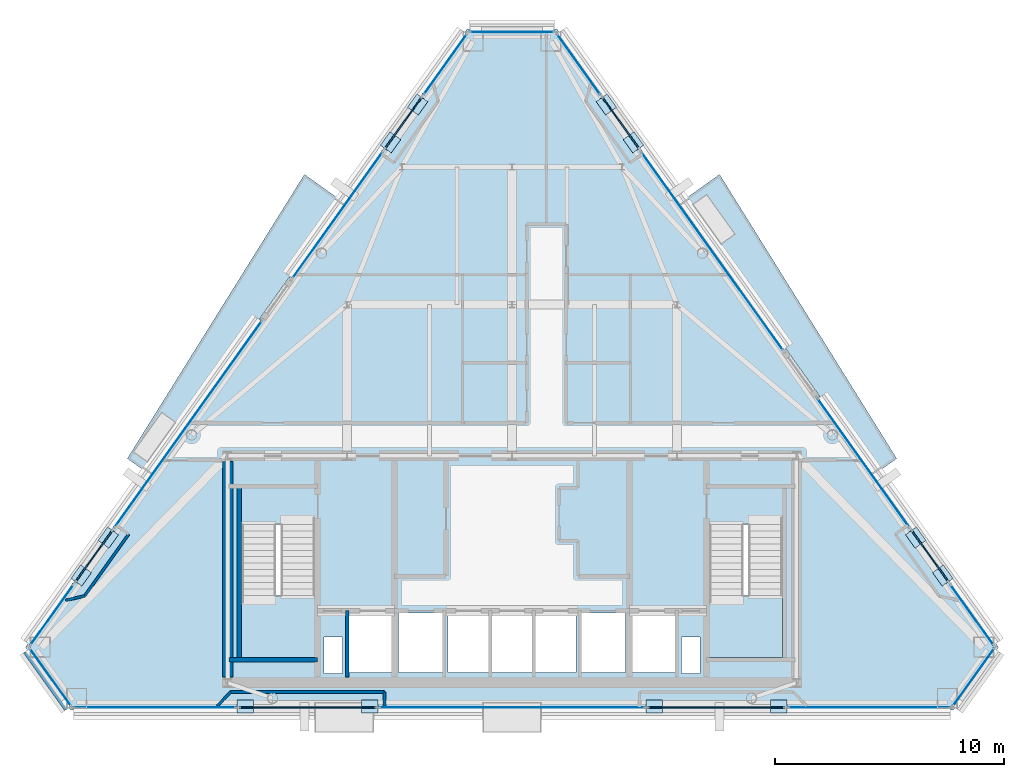
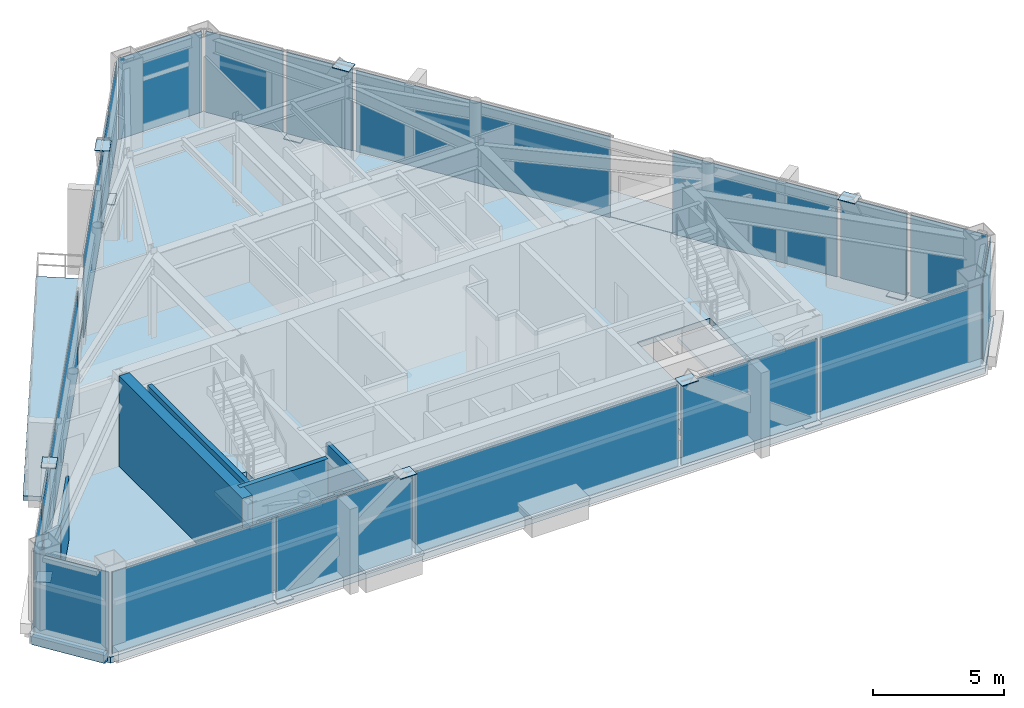
# One storey, part 7 of 12: 32 plates, 10 walls, 5 slabs, 22 elements without a shape of their own.
"""IFC4 building model written with IfcOpenShell, lengths in metres."""

from ifc_helpers import new_model, si_unit, direction, frame, frame_2d, origin, origin_2d, place, context, subcontext, project, spatial, polyline, rectangle, outline, extrude, source, transform, mapped, material, layer, layer_set, type_object, type_shapes, element, aggregate, save


model = new_model("IFC4")

# Units and contexts
model_context = context("Model", 3, precision=1e-05, world=origin(), true_north=direction((0.0, 1.0)))
body_context = subcontext(model_context, "Body", "Model", "MODEL_VIEW")
ifc_project = project(units=[si_unit("LENGTHUNIT", "METRE"), si_unit("AREAUNIT", "SQUARE_METRE"), si_unit("VOLUMEUNIT", "CUBIC_METRE"), si_unit("PLANEANGLEUNIT", "RADIAN"), si_unit("MASSUNIT", "GRAM", prefix="KILO")], contexts=[model_context])

# Site, building, storey
site_placement = place(None, origin())
site = spatial("IfcSite", under=ifc_project, at=site_placement, CompositionType="ELEMENT")
building_placement = place(site_placement, origin())
building = spatial("IfcBuilding", under=site, at=building_placement, Name="Talgorran Terracotta Tower", CompositionType="ELEMENT")
storey_placement = place(building_placement, frame((0.0, 0.0, 285.0)))
storey = spatial("IfcBuildingStorey", under=building, at=storey_placement, Name="L75", CompositionType="ELEMENT", Elevation=285.0)

# Plates
ifc_material_1 = material(Name="Steel Grade 350 (350L0)", Category="steel")
ifc_layer_1 = layer(ifc_material_1, 0.031982421875, Name="PL_CAP_MN07")
ifc_layer_set_1 = layer_set([ifc_layer_1], Name="Steel Grade 350 (350L0)")
plate_type_1 = type_object("IfcPlateType", Name="PL_CAP_MN07", PredefinedType="USERDEFINED", material=ifc_layer_set_1)
for number, where, z_axis, x_axis, name in (
    (1, (-11.6298828125, -15.134521484375, -0.005859375), (0.0, 0.0, 1.0), (1.0, 0.0, 0.0), "L75 Diagonal Frame End Cap SWF Bot"),
    (2, (-6.1982421875, -15.134521484375, 3.89404296875), (0.0, 0.0, 1.0), (1.0, 0.0, 0.0), "L75 Diagonal Frame End Cap SWF Top"),
    (3, (11.6298828125, -15.134521484375, -0.005859375), (0.0, 0.0, 1.0), (-1.0, 0.0, 0.0), "L75 Diagonal Frame End Cap SEF Bot"),
    (4, (6.1982421875, -15.134521484375, 3.89404296875), (0.0, 0.0, 1.0), (-1.0, 0.0, 0.0), "L75 Diagonal Frame End Cap SEF Top"),
    (5, (18.788330078125, -9.4169921875, -0.005859375), (0.0, 0.0, 1.0), (-0.581271174002, 0.813709912852, 0.0), "L75 Diagonal Frame End Cap NEL Bot"),
    (6, (17.6083984375, -7.764892578125, 3.89404296875), (0.0, 0.0, 1.0), (-0.581271174002, 0.813709912852, 0.0), "L75 Diagonal Frame End Cap NEL Top"),
    (7, (4.115966796875, 11.123779296875, -0.005859375), (0.0, 0.0, 1.0), (0.581271174002, -0.813709912852, 0.0), "L75 Diagonal Frame End Cap NEU Bot"),
    (8, (5.296142578125, 9.471435546875, 3.89404296875), (0.0, 0.0, 1.0), (0.581271174002, -0.813709912852, 0.0), "L75 Diagonal Frame End Cap NEU Top"),
    (9, (-4.115966796875, 11.123779296875, -0.005859375), (0.0, 0.0, 1.0), (-0.581271174002, -0.813709912852, 0.0), "L75 Diagonal Frame End Cap NWU Bot"),
    (10, (-5.296142578125, 9.471435546875, 3.89404296875), (0.0, 0.0, 1.0), (-0.581271174002, -0.813709912852, 0.0), "L75 Diagonal Frame End Cap NWU Top"),
    (11, (-18.788330078125, -9.4169921875, -0.005859375), (0.0, 0.0, 1.0), (0.581271174002, 0.813709912852, 0.0), "L75 Diagonal Frame End Cap NWL Bot"),
    (12, (-17.6083984375, -7.764892578125, 3.89404296875), (0.0, 0.0, 1.0), (0.581271174002, 0.813709912852, 0.0), "L75 Diagonal Frame End Cap NWL Top"),
):
    element("IfcPlate", number, at=place(storey_placement, frame(where, z_axis=z_axis, x_axis=x_axis)), inside=storey, type_object=plate_type_1, Name=name, ObjectType="CAP PLATE", PredefinedType="USERDEFINED", context=body_context, shape_type="SweptSolid", body=[
        extrude(rectangle(XDim=0.719970703125, YDim=0.580078125, at=origin_2d()), origin(), (0.0, 0.0, 1.0), 0.031982421875),
    ])

# Slabs
ifc_material_2 = material(Name="Concrete C40/50", Category="concrete")
ifc_layer_2 = layer(ifc_material_2, 0.219970703125, Name="SL_BALCONY_220")
ifc_layer_set_2 = layer_set([ifc_layer_2], Name="Concrete C40/50")
slab_type_1 = type_object("IfcSlabType", Name="SL_BALCONY_220", PredefinedType="FLOOR", material=ifc_layer_set_2)
slab_1_placement = place(storey_placement, frame((0.0, 0.0, -0.219970703125)))
element("IfcSlab", 13, at=slab_1_placement, inside=storey, type_object=slab_type_1, Name="L75 Outdoor Wave Balcony BAL-NE", PredefinedType="FLOOR", context=body_context, shape_type="SweptSolid", body=[
    extrude(outline(polyline([(7.368408203125, 6.87158203125), (15.83935546875, -4.9873046875), (16.777099609375, -4.317626953125), (9.05078125, 8.073486328125), (7.368408203125, 6.87158203125)])), origin(), (0.0, 0.0, 1.0), 0.219970703125),
])
slab_2_placement = place(storey_placement, frame((0.0, 0.0, -0.219970703125)))
element("IfcSlab", 14, at=slab_2_placement, inside=storey, type_object=slab_type_1, Name="L75 Outdoor Wave Balcony BAL-NW", PredefinedType="FLOOR", context=body_context, shape_type="SweptSolid", body=[
    extrude(outline(polyline([(-15.83935546875, -4.9873046875), (-7.368408203125, 6.87158203125), (-9.05078125, 8.073486328125), (-16.777099609375, -4.317626953125), (-15.83935546875, -4.9873046875)])), origin(), (0.0, 0.0, 1.0), 0.219970703125),
])
ifc_layer_3 = layer(ifc_material_2, 0.280029296875, Name="SL_HALL_280")
ifc_layer_set_3 = layer_set([ifc_layer_3], Name="Concrete C40/50")
slab_type_2 = type_object("IfcSlabType", Name="SL_HALL_280", PredefinedType="FLOOR", material=ifc_layer_set_3)
slab_3_placement = place(storey_placement, frame((0.0, 0.0, -0.280029296875)))
element("IfcSlab", 15, at=slab_3_placement, inside=storey, type_object=slab_type_2, Name="Storey L75 Structural Floor Slab", PredefinedType="FLOOR", context=body_context, shape_type="SweptSolid", body=[
    extrude(outline(polyline([(-21.2177734375, -12.542724609375), (-19.252197265625, -15.29443359375), (19.252197265625, -15.29443359375), (21.2177734375, -12.542724609375), (1.965576171875, 14.409423828125), (-1.965576171875, 14.409423828125), (-21.2177734375, -12.542724609375)]), holes=[polyline([(-11.800048828125, -7.199951171875), (-11.800048828125, -13.0), (-8.60009765625, -13.0), (-8.60009765625, -7.199951171875), (-11.800048828125, -7.199951171875)]), polyline([(8.60009765625, -7.199951171875), (8.60009765625, -13.0), (11.800048828125, -13.0), (11.800048828125, -7.199951171875), (8.60009765625, -7.199951171875)]), polyline([(-7.10009765625, -13.64990234375), (-5.199951171875, -13.64990234375), (-5.199951171875, -11.050048828125), (-7.10009765625, -11.050048828125), (-7.10009765625, -13.64990234375)]), polyline([(5.199951171875, -13.64990234375), (7.10009765625, -13.64990234375), (7.10009765625, -11.050048828125), (5.199951171875, -11.050048828125), (5.199951171875, -13.64990234375)]), polyline([(3.0, -13.64990234375), (4.949951171875, -13.64990234375), (4.949951171875, -11.050048828125), (3.0, -11.050048828125), (3.0, -13.64990234375)]), polyline([(-4.949951171875, -13.64990234375), (-3.0, -13.64990234375), (-3.0, -11.050048828125), (-4.949951171875, -11.050048828125), (-4.949951171875, -13.64990234375)]), polyline([(-2.800048828125, -13.64990234375), (-1.0, -13.64990234375), (-1.0, -11.050048828125), (-2.800048828125, -11.050048828125), (-2.800048828125, -13.64990234375)]), polyline([(-0.89990234375, -13.64990234375), (0.89990234375, -13.64990234375), (0.89990234375, -11.050048828125), (-0.89990234375, -11.050048828125), (-0.89990234375, -13.64990234375)]), polyline([(1.0, -13.64990234375), (2.800048828125, -13.64990234375), (2.800048828125, -11.050048828125), (1.0, -11.050048828125), (1.0, -13.64990234375)]), polyline([(-8.199951171875, -13.699951171875), (-7.39990234375, -13.699951171875), (-7.39990234375, -12.10009765625), (-8.199951171875, -12.10009765625), (-8.199951171875, -13.699951171875)]), polyline([(7.39990234375, -13.699951171875), (8.199951171875, -13.699951171875), (8.199951171875, -12.10009765625), (7.39990234375, -12.10009765625), (7.39990234375, -13.699951171875)])]), origin(), (0.0, 0.0, 1.0), 0.280029296875),
])

# Stair, slab
stair_type = type_object("IfcStairType", Name="ST_FIRE_SCISSOR", PredefinedType="HALF_TURN_STAIR", material=ifc_material_2)
stair_1_placement = place(storey_placement, origin())
stair_1 = element("IfcStair", 16, at=stair_1_placement, inside=storey, type_object=stair_type, Name="L75 West Protected Fire Stair ST-01", PredefinedType="HALF_TURN_STAIR")
ifc_layer_4 = layer(ifc_material_2, 0.199951171875, Name="SL_LANDING_200")
ifc_layer_set_4 = layer_set([ifc_layer_4], Name="Concrete C40/50")
slab_type_3 = type_object("IfcSlabType", Name="SL_LANDING_200", PredefinedType="LANDING", material=ifc_layer_set_4)
slab_4_placement = place(storey_placement, frame((0.0, 0.0, 1.89990234375)))
slab_4 = element("IfcSlab", 17, at=slab_4_placement, type_object=slab_type_3, Name="ST-01 landing 1", PredefinedType="LANDING", context=body_context, shape_type="SweptSolid", body=[
    extrude(outline(polyline([(-11.800048828125, -10.280029296875), (-11.800048828125, -13.0), (-8.60009765625, -13.0), (-8.60009765625, -10.280029296875), (-11.800048828125, -10.280029296875)])), origin(), (0.0, 0.0, 1.0), 0.2001953125),
])
aggregate(stair_1, [slab_4])

stair_2_placement = place(storey_placement, origin())
stair_2 = element("IfcStair", 18, at=stair_2_placement, inside=storey, type_object=stair_type, Name="L75 East Protected Fire Stair ST-02", PredefinedType="HALF_TURN_STAIR")
slab_5_placement = place(storey_placement, frame((0.0, 0.0, 1.89990234375)))
slab_5 = element("IfcSlab", 19, at=slab_5_placement, type_object=slab_type_3, Name="ST-02 landing 1", PredefinedType="LANDING", context=body_context, shape_type="SweptSolid", body=[
    extrude(outline(polyline([(8.60009765625, -10.280029296875), (8.60009765625, -13.0), (11.800048828125, -13.0), (11.800048828125, -10.280029296875), (8.60009765625, -10.280029296875)])), origin(), (0.0, 0.0, 1.0), 0.2001953125),
])
aggregate(stair_2, [slab_5])

# Curtain wall, plate
ifc_material_3 = material(Name="High-Wind Unitised Glazing", Category="glass")
ifc_layer_5 = layer(ifc_material_3, 0.2099609375, Name="CW_SYS3_RES_HIGH")
ifc_layer_set_5 = layer_set([ifc_layer_5], Name="High-Wind Unitised Glazing")
curtain_wall_type = type_object("IfcCurtainWallType", Name="CW_SYS3_RES_HIGH", PredefinedType="NOTDEFINED", material=ifc_layer_set_5)
curtain_wall_1_placement = place(storey_placement, origin())
curtain_wall_1 = element("IfcCurtainWall", 20, at=curtain_wall_1_placement, inside=storey, type_object=curtain_wall_type, Name="CW-L75-F0", PredefinedType="NOTDEFINED")
ifc_material_4 = material(Name="High-Wind Acoustic Vision Glass", Category="glass")
ifc_layer_6 = layer(ifc_material_4, 0.031982421875, Name="PLT_VISION_32")
ifc_layer_set_6 = layer_set([ifc_layer_6], Name="High-Wind Acoustic Vision Glass")
plate_type_2 = type_object("IfcPlateType", Name="PLT_VISION_32", PredefinedType="CURTAIN_PANEL", material=ifc_layer_set_6)
shared_shape_1 = source(origin(), body_context, "Body", "SweptSolid", [
    extrude(rectangle(XDim=3.093994140625, YDim=0.031982421875, at=origin_2d()), origin(), (0.0, 0.0, 1.0), 3.780029296875),
])
plate_1_placement = place(storey_placement, frame((-20.13037109375, -13.858642578125, 0.06982421875), z_axis=(0.0, 0.0, 1.0), x_axis=(0.58125574343, -0.813720935413, 0.0)))
plate_1 = element("IfcPlate", 21, at=plate_1_placement, type_object=plate_type_2, Name="CW-L75-0 panel 1.1", PredefinedType="CURTAIN_PANEL", context=body_context, shape_type="MappedRepresentation", body=[
    mapped(shared_shape_1, transform((0.0, 0.0, 0.0), scale=1.0)),
])
aggregate(curtain_wall_1, [plate_1])

curtain_wall_2_placement = place(storey_placement, origin())
curtain_wall_2 = element("IfcCurtainWall", 22, at=curtain_wall_2_placement, inside=storey, type_object=curtain_wall_type, Name="CW-L75-F2", PredefinedType="NOTDEFINED")
plate_2_placement = place(storey_placement, frame((20.13037109375, -13.858642578125, 0.06982421875), z_axis=(0.0, 0.0, 1.0), x_axis=(0.58125574343, 0.813720935413, 0.0)))
plate_2 = element("IfcPlate", 23, at=plate_2_placement, type_object=plate_type_2, Name="CW-L75-2 panel 1.1", PredefinedType="CURTAIN_PANEL", context=body_context, shape_type="MappedRepresentation", body=[
    mapped(shared_shape_1, transform((0.0, 0.0, 0.0), scale=1.0)),
])
aggregate(curtain_wall_2, [plate_2])

curtain_wall_3_placement = place(storey_placement, origin())
curtain_wall_3 = element("IfcCurtainWall", 24, at=curtain_wall_3_placement, inside=storey, type_object=curtain_wall_type, Name="CW-L75-F1", PredefinedType="NOTDEFINED")
shared_shape_2 = source(origin(), body_context, "Body", "SweptSolid", [
    extrude(rectangle(XDim=7.071044921875, YDim=0.031982421875, at=origin_2d()), origin(), (0.0, 0.0, 1.0), 3.780029296875),
])
plate_3_placement = place(storey_placement, frame((-15.5849609375, -15.17431640625, 0.06982421875), z_axis=(0.0, 0.0, 1.0), x_axis=(1.0, 0.0, 0.0)))
plate_3 = element("IfcPlate", 25, at=plate_3_placement, type_object=plate_type_2, Name="CW-L75-1 panel 1.1", PredefinedType="CURTAIN_PANEL", context=body_context, shape_type="MappedRepresentation", body=[
    mapped(shared_shape_2, transform((0.0, 0.0, 0.0), scale=1.0)),
])
aggregate(curtain_wall_3, [plate_3])

curtain_wall_4_placement = place(storey_placement, origin())
curtain_wall_4 = element("IfcCurtainWall", 26, at=curtain_wall_4_placement, inside=storey, type_object=curtain_wall_type, Name="CW-L75-F1E", PredefinedType="NOTDEFINED")
plate_4_placement = place(storey_placement, frame((15.5849609375, -15.17431640625, 0.06982421875), z_axis=(0.0, 0.0, 1.0), x_axis=(1.0, 0.0, 0.0)))
plate_4 = element("IfcPlate", 27, at=plate_4_placement, type_object=plate_type_2, Name="CW-L75-1E panel 1.1", PredefinedType="CURTAIN_PANEL", context=body_context, shape_type="MappedRepresentation", body=[
    mapped(shared_shape_2, transform((0.0, 0.0, 0.0), scale=1.0)),
])
aggregate(curtain_wall_4, [plate_4])

curtain_wall_5_placement = place(storey_placement, origin())
curtain_wall_5 = element("IfcCurtainWall", 28, at=curtain_wall_5_placement, inside=storey, type_object=curtain_wall_type, Name="CW-L75-F1B", PredefinedType="NOTDEFINED")
ifc_material_5 = material(Name="Terracotta Insulated Spandrel", Category="masonry")
ifc_layer_7 = layer(ifc_material_5, 0.06494140625, Name="PLT_SPANDREL_TERRA")
ifc_layer_set_7 = layer_set([ifc_layer_7], Name="Terracotta Insulated Spandrel")
plate_type_3 = type_object("IfcPlateType", Name="PLT_SPANDREL_TERRA", PredefinedType="SHEET", material=ifc_layer_set_7)
shared_shape_3 = source(origin(), body_context, "Body", "SweptSolid", [
    extrude(rectangle(XDim=5.970947265625, YDim=0.06494140625, at=origin_2d()), origin(), (0.0, 0.0, 1.0), 3.780029296875),
])
plate_5_placement = place(storey_placement, frame((-8.9140625, -15.17431640625, 0.06982421875), z_axis=(0.0, 0.0, 1.0), x_axis=(1.0, 0.0, 0.0)))
plate_5 = element("IfcPlate", 29, at=plate_5_placement, type_object=plate_type_3, Name="CW-L75-1B panel 1.1", PredefinedType="CURTAIN_PANEL", context=body_context, shape_type="MappedRepresentation", body=[
    mapped(shared_shape_3, transform((0.0, 0.0, 0.0), scale=1.0)),
])
aggregate(curtain_wall_5, [plate_5])

curtain_wall_6_placement = place(storey_placement, origin())
curtain_wall_6 = element("IfcCurtainWall", 30, at=curtain_wall_6_placement, inside=storey, type_object=curtain_wall_type, Name="CW-L75-F1D", PredefinedType="NOTDEFINED")
plate_6_placement = place(storey_placement, frame((8.9140625, -15.17431640625, 0.06982421875), z_axis=(0.0, 0.0, 1.0), x_axis=(1.0, 0.0, 0.0)))
plate_6 = element("IfcPlate", 31, at=plate_6_placement, type_object=plate_type_3, Name="CW-L75-1D panel 1.1", PredefinedType="CURTAIN_PANEL", context=body_context, shape_type="MappedRepresentation", body=[
    mapped(shared_shape_3, transform((0.0, 0.0, 0.0), scale=1.0)),
])
aggregate(curtain_wall_6, [plate_6])

curtain_wall_7_placement = place(storey_placement, origin())
curtain_wall_7 = element("IfcCurtainWall", 32, at=curtain_wall_7_placement, inside=storey, type_object=curtain_wall_type, Name="CW-L75-F1C", PredefinedType="NOTDEFINED")
shared_shape_4 = source(origin(), body_context, "Body", "SweptSolid", [
    extrude(rectangle(XDim=11.55712890625, YDim=0.031982421875, at=origin_2d()), origin(), (0.0, 0.0, 1.0), 3.780029296875),
])
plate_7_placement = place(storey_placement, frame((0.0, -15.17431640625, 0.06982421875), z_axis=(0.0, 0.0, 1.0), x_axis=(1.0, 0.0, 0.0)))
plate_7 = element("IfcPlate", 33, at=plate_7_placement, type_object=plate_type_2, Name="CW-L75-1C panel 1.1", PredefinedType="CURTAIN_PANEL", context=body_context, shape_type="MappedRepresentation", body=[
    mapped(shared_shape_4, transform((0.0, 0.0, 0.0), scale=1.0)),
])
aggregate(curtain_wall_7, [plate_7])

curtain_wall_8_placement = place(storey_placement, origin())
curtain_wall_8 = element("IfcCurtainWall", 34, at=curtain_wall_8_placement, inside=storey, type_object=curtain_wall_type, Name="CW-L75-F40", PredefinedType="NOTDEFINED")
shared_shape_5 = source(origin(), body_context, "Body", "SweptSolid", [
    extrude(rectangle(XDim=3.240966796875, YDim=0.031982421875, at=origin_2d()), origin(), (0.0, 0.0, 1.0), 3.780029296875),
])
plate_8_placement = place(storey_placement, frame((20.064453125, -11.134765625, 0.06982421875), z_axis=(0.0, 0.0, 1.0), x_axis=(-0.581235395943, 0.813735469611, 0.0)))
plate_8 = element("IfcPlate", 35, at=plate_8_placement, type_object=plate_type_2, Name="CW-L75-40 panel 1.1", PredefinedType="CURTAIN_PANEL", context=body_context, shape_type="MappedRepresentation", body=[
    mapped(shared_shape_5, transform((0.0, 0.0, 0.0), scale=1.0)),
])
aggregate(curtain_wall_8, [plate_8])

curtain_wall_9_placement = place(storey_placement, origin())
curtain_wall_9 = element("IfcCurtainWall", 36, at=curtain_wall_9_placement, inside=storey, type_object=curtain_wall_type, Name="CW-L75-F40B", PredefinedType="NOTDEFINED")
shared_shape_6 = source(origin(), body_context, "Body", "SweptSolid", [
    extrude(rectangle(XDim=2.76806640625, YDim=0.06494140625, at=origin_2d()), origin(), (0.0, 0.0, 1.0), 3.780029296875),
])
type_shapes(plate_type_3, [shared_shape_3, shared_shape_6])
plate_9_placement = place(storey_placement, frame((18.230712890625, -8.56787109375, 0.06982421875), z_axis=(0.0, 0.0, 1.0), x_axis=(-0.581234940743, 0.813735794752, 0.0)))
plate_9 = element("IfcPlate", 37, at=plate_9_placement, type_object=plate_type_3, Name="CW-L75-40B panel 1.1", PredefinedType="CURTAIN_PANEL", context=body_context, shape_type="MappedRepresentation", body=[
    mapped(shared_shape_6, transform((0.0, 0.0, 0.0), scale=1.0)),
])
aggregate(curtain_wall_9, [plate_9])

curtain_wall_10_placement = place(storey_placement, origin())
curtain_wall_10 = element("IfcCurtainWall", 38, at=curtain_wall_10_placement, inside=storey, type_object=curtain_wall_type, Name="CW-L75-F41B", PredefinedType="NOTDEFINED")
plate_10_placement = place(storey_placement, frame((4.738525390625, 10.32080078125, 0.06982421875), z_axis=(0.0, 0.0, 1.0), x_axis=(-0.581234940743, 0.813735794752, 0.0)))
plate_10 = element("IfcPlate", 39, at=plate_10_placement, type_object=plate_type_3, Name="CW-L75-41B panel 1.1", PredefinedType="CURTAIN_PANEL", context=body_context, shape_type="MappedRepresentation", body=[
    mapped(shared_shape_6, transform((0.0, 0.0, 0.0), scale=1.0)),
])
aggregate(curtain_wall_10, [plate_10])

curtain_wall_11_placement = place(storey_placement, origin())
curtain_wall_11 = element("IfcCurtainWall", 40, at=curtain_wall_11_placement, inside=storey, type_object=curtain_wall_type, Name="CW-L75-F60B", PredefinedType="NOTDEFINED")
plate_11_placement = place(storey_placement, frame((-4.738525390625, 10.32080078125, 0.06982421875), z_axis=(0.0, 0.0, 1.0), x_axis=(-0.581234940743, -0.813735794752, 0.0)))
plate_11 = element("IfcPlate", 41, at=plate_11_placement, type_object=plate_type_3, Name="CW-L75-60B panel 1.1", PredefinedType="CURTAIN_PANEL", context=body_context, shape_type="MappedRepresentation", body=[
    mapped(shared_shape_6, transform((0.0, 0.0, 0.0), scale=1.0)),
])
aggregate(curtain_wall_11, [plate_11])

curtain_wall_12_placement = place(storey_placement, origin())
curtain_wall_12 = element("IfcCurtainWall", 42, at=curtain_wall_12_placement, inside=storey, type_object=curtain_wall_type, Name="CW-L75-F61B", PredefinedType="NOTDEFINED")
plate_12_placement = place(storey_placement, frame((-18.230712890625, -8.56787109375, 0.06982421875), z_axis=(0.0, 0.0, 1.0), x_axis=(-0.581234940743, -0.813735794752, 0.0)))
plate_12 = element("IfcPlate", 43, at=plate_12_placement, type_object=plate_type_3, Name="CW-L75-61B panel 1.1", PredefinedType="CURTAIN_PANEL", context=body_context, shape_type="MappedRepresentation", body=[
    mapped(shared_shape_6, transform((0.0, 0.0, 0.0), scale=1.0)),
])
aggregate(curtain_wall_12, [plate_12])

curtain_wall_13_placement = place(storey_placement, origin())
curtain_wall_13 = element("IfcCurtainWall", 44, at=curtain_wall_13_placement, inside=storey, type_object=curtain_wall_type, Name="CW-L75-F40C", PredefinedType="NOTDEFINED")
shared_shape_7 = source(origin(), body_context, "Body", "SweptSolid", [
    extrude(rectangle(XDim=6.897216796875, YDim=0.031982421875, at=origin_2d()), origin(), (0.0, 0.0, 1.0), 3.780029296875),
])
plate_13_placement = place(storey_placement, frame((15.334716796875, -4.51318359375, 0.06982421875), z_axis=(0.0, 0.0, 1.0), x_axis=(-0.581248947246, 0.813725790009, 0.0)))
plate_13 = element("IfcPlate", 45, at=plate_13_placement, type_object=plate_type_2, Name="CW-L75-40C panel 1.1", PredefinedType="CURTAIN_PANEL", context=body_context, shape_type="MappedRepresentation", body=[
    mapped(shared_shape_7, transform((0.0, 0.0, 0.0), scale=1.0)),
])
aggregate(curtain_wall_13, [plate_13])

curtain_wall_14_placement = place(storey_placement, origin())
curtain_wall_14 = element("IfcCurtainWall", 46, at=curtain_wall_14_placement, inside=storey, type_object=curtain_wall_type, Name="CW-L75-F41", PredefinedType="NOTDEFINED")
shared_shape_8 = source(origin(), body_context, "Body", "SweptSolid", [
    extrude(rectangle(XDim=10.647216796875, YDim=0.031982421875, at=origin_2d()), origin(), (0.0, 0.0, 1.0), 3.780029296875),
])
plate_14_placement = place(storey_placement, frame((8.724609375, 4.74072265625, 0.06982421875), z_axis=(0.0, 0.0, 1.0), x_axis=(-0.581248716559, 0.81372595479, 0.0)))
plate_14 = element("IfcPlate", 47, at=plate_14_placement, type_object=plate_type_2, Name="CW-L75-41 panel 1.1", PredefinedType="CURTAIN_PANEL", context=body_context, shape_type="MappedRepresentation", body=[
    mapped(shared_shape_8, transform((0.0, 0.0, 0.0), scale=1.0)),
])
aggregate(curtain_wall_14, [plate_14])

curtain_wall_15_placement = place(storey_placement, origin())
curtain_wall_15 = element("IfcCurtainWall", 48, at=curtain_wall_15_placement, inside=storey, type_object=curtain_wall_type, Name="CW-L75-F41C", PredefinedType="NOTDEFINED")
shared_shape_9 = source(origin(), body_context, "Body", "SweptSolid", [
    extrude(rectangle(XDim=3.233154296875, YDim=0.031982421875, at=origin_2d()), origin(), (0.0, 0.0, 1.0), 3.780029296875),
])
plate_15_placement = place(storey_placement, frame((2.907470703125, 12.884521484375, 0.06982421875), z_axis=(0.0, 0.0, 1.0), x_axis=(-0.581249410692, 0.813725458967, 0.0)))
plate_15 = element("IfcPlate", 49, at=plate_15_placement, type_object=plate_type_2, Name="CW-L75-41C panel 1.1", PredefinedType="CURTAIN_PANEL", context=body_context, shape_type="MappedRepresentation", body=[
    mapped(shared_shape_9, transform((0.0, 0.0, 0.0), scale=1.0)),
])
aggregate(curtain_wall_15, [plate_15])

curtain_wall_16_placement = place(storey_placement, origin())
curtain_wall_16 = element("IfcCurtainWall", 50, at=curtain_wall_16_placement, inside=storey, type_object=curtain_wall_type, Name="CW-L75-F60", PredefinedType="NOTDEFINED")
plate_16_placement = place(storey_placement, frame((-2.907470703125, 12.884521484375, 0.06982421875), z_axis=(0.0, 0.0, 1.0), x_axis=(-0.581249410692, -0.813725458967, 0.0)))
plate_16 = element("IfcPlate", 51, at=plate_16_placement, type_object=plate_type_2, Name="CW-L75-60 panel 1.1", PredefinedType="CURTAIN_PANEL", context=body_context, shape_type="MappedRepresentation", body=[
    mapped(shared_shape_9, transform((0.0, 0.0, 0.0), scale=1.0)),
])
aggregate(curtain_wall_16, [plate_16])

curtain_wall_17_placement = place(storey_placement, origin())
curtain_wall_17 = element("IfcCurtainWall", 52, at=curtain_wall_17_placement, inside=storey, type_object=curtain_wall_type, Name="CW-L75-F4", PredefinedType="NOTDEFINED")
shared_shape_10 = source(origin(), body_context, "Body", "SweptSolid", [
    extrude(rectangle(XDim=3.66748046875, YDim=0.031982421875, at=origin_2d()), origin(), (0.0, 0.0, 1.0), 3.780029296875),
])
plate_17_placement = place(storey_placement, frame((0.0, 14.28955078125, 0.06982421875), z_axis=(0.0, 0.0, 1.0), x_axis=(-1.0, 0.0, 0.0)))
plate_17 = element("IfcPlate", 53, at=plate_17_placement, type_object=plate_type_2, Name="CW-L75-4 panel 1.1", PredefinedType="CURTAIN_PANEL", context=body_context, shape_type="MappedRepresentation", body=[
    mapped(shared_shape_10, transform((0.0, 0.0, 0.0), scale=1.0)),
])
aggregate(curtain_wall_17, [plate_17])

curtain_wall_18_placement = place(storey_placement, origin())
curtain_wall_18 = element("IfcCurtainWall", 54, at=curtain_wall_18_placement, inside=storey, type_object=curtain_wall_type, Name="CW-L75-F60C", PredefinedType="NOTDEFINED")
shared_shape_11 = source(origin(), body_context, "Body", "SweptSolid", [
    extrude(rectangle(XDim=6.789794921875, YDim=0.031982421875, at=origin_2d()), origin(), (0.0, 0.0, 1.0), 3.780029296875),
])
plate_18_placement = place(storey_placement, frame((-7.603515625, 6.31005859375, 0.06982421875), z_axis=(0.0, 0.0, 1.0), x_axis=(-0.581251843907, -0.813723720899, 0.0)))
plate_18 = element("IfcPlate", 55, at=plate_18_placement, type_object=plate_type_2, Name="CW-L75-60C panel 1.1", PredefinedType="CURTAIN_PANEL", context=body_context, shape_type="MappedRepresentation", body=[
    mapped(shared_shape_11, transform((0.0, 0.0, 0.0), scale=1.0)),
])
aggregate(curtain_wall_18, [plate_18])

curtain_wall_19_placement = place(storey_placement, origin())
curtain_wall_19 = element("IfcCurtainWall", 56, at=curtain_wall_19_placement, inside=storey, type_object=curtain_wall_type, Name="CW-L75-F61", PredefinedType="NOTDEFINED")
shared_shape_12 = source(origin(), body_context, "Body", "SweptSolid", [
    extrude(rectangle(XDim=11.054443359375, YDim=0.031982421875, at=origin_2d()), origin(), (0.0, 0.0, 1.0), 3.780029296875),
])
plate_19_placement = place(storey_placement, frame((-14.12646484375, -2.82177734375, 0.06982421875), z_axis=(0.0, 0.0, 1.0), x_axis=(-0.581251713844, -0.813723813805, 0.0)))
plate_19 = element("IfcPlate", 57, at=plate_19_placement, type_object=plate_type_2, Name="CW-L75-61 panel 1.1", PredefinedType="CURTAIN_PANEL", context=body_context, shape_type="MappedRepresentation", body=[
    mapped(shared_shape_12, transform((0.0, 0.0, 0.0), scale=1.0)),
])
aggregate(curtain_wall_19, [plate_19])

curtain_wall_20_placement = place(storey_placement, origin())
curtain_wall_20 = element("IfcCurtainWall", 58, at=curtain_wall_20_placement, inside=storey, type_object=curtain_wall_type, Name="CW-L75-F61C", PredefinedType="NOTDEFINED")
shared_shape_13 = source(origin(), body_context, "Body", "SweptSolid", [
    extrude(rectangle(XDim=3.2412109375, YDim=0.031982421875, at=origin_2d()), origin(), (0.0, 0.0, 1.0), 3.780029296875),
])
type_shapes(plate_type_2, [shared_shape_1, shared_shape_2, shared_shape_4, shared_shape_5, shared_shape_7, shared_shape_8, shared_shape_9, shared_shape_10, shared_shape_11, shared_shape_12, shared_shape_13])
plate_20_placement = place(storey_placement, frame((-20.064453125, -11.134765625, 0.06982421875), z_axis=(0.0, 0.0, 1.0), x_axis=(-0.58125497991, -0.813721480809, 0.0)))
plate_20 = element("IfcPlate", 59, at=plate_20_placement, type_object=plate_type_2, Name="CW-L75-61C panel 1.1", PredefinedType="CURTAIN_PANEL", context=body_context, shape_type="MappedRepresentation", body=[
    mapped(shared_shape_13, transform((0.0, 0.0, 0.0), scale=1.0)),
])
aggregate(curtain_wall_20, [plate_20])

# Walls
ifc_material_6 = material(Name="Concrete C50/60", Category="concrete")
ifc_layer_8 = layer(ifc_material_6, 0.199951171875, Name="WT_CORE_200")
ifc_layer_set_8 = layer_set([ifc_layer_8], Name="Concrete C50/60")
wall_type_1 = type_object("IfcWallType", Name="WT_CORE_200", PredefinedType="SOLIDWALL", material=ifc_layer_set_8)
wall_1_placement = place(storey_placement, frame((-12.35009765625, -13.10009765625, 0.0), z_axis=(0.0, 0.0, 1.0), x_axis=(1.0, 0.0, 0.0)))
element("IfcWall", 60, at=wall_1_placement, inside=storey, type_object=wall_type_1, Name="WL-L75-CW-ST1-S", PredefinedType="SOLIDWALL", context=body_context, shape_type="SweptSolid", body=[
    extrude(rectangle(XDim=3.8701171875, YDim=0.199951171875, at=frame_2d((1.93505859375, 0.0))), origin(), (0.0, 0.0, 1.0), 4.199951171875),
])
wall_2_placement = place(storey_placement, frame((-11.89990234375, -13.10009765625, 0.0), z_axis=(0.0, 0.0, 1.0), x_axis=(0.0, 1.0, 0.0)))
element("IfcWall", 61, at=wall_2_placement, inside=storey, type_object=wall_type_1, Name="WL-L75-CW-ST1-W", PredefinedType="SOLIDWALL", context=body_context, shape_type="SweptSolid", body=[
    extrude(rectangle(XDim=7.580078125, YDim=0.199951171875, at=frame_2d((3.7900390625, 0.0))), origin(), (0.0, 0.0, 1.0), 4.199951171875),
])
ifc_material_7 = material(Name="Concrete C65/80", Category="concrete")
ifc_layer_9 = layer(ifc_material_7, 0.449951171875, Name="WT_CORE_EXT")
ifc_layer_set_9 = layer_set([ifc_layer_9], Name="Concrete C65/80")
wall_type_2 = type_object("IfcWallType", Name="WT_CORE_EXT", PredefinedType="SHEAR", material=ifc_layer_set_9)
wall_3_placement = place(storey_placement, frame((-12.39990234375, -13.85009765625, 0.0), z_axis=(0.0, 0.0, 1.0), x_axis=(0.0, 1.0, 0.0)))
element("IfcWall", 62, at=wall_3_placement, inside=storey, type_object=wall_type_2, Name="WL-L75-CW-OUT-W", PredefinedType="SHEAR", context=body_context, shape_type="SweptSolid", body=[
    extrude(rectangle(XDim=9.400146484375, YDim=0.449951171875, at=frame_2d((4.7001953125, 0.0))), origin(), (0.0, 0.0, 1.0), 4.199951171875),
])
ifc_layer_10 = layer(ifc_material_2, 0.219970703125, Name="WT_PARAPET_RC")
ifc_layer_set_10 = layer_set([ifc_layer_10], Name="Concrete C40/50")
wall_type_3 = type_object("IfcWallType", Name="WT_PARAPET_RC", PredefinedType="PARAPET", material=ifc_layer_set_10)
wall_4_placement = place(storey_placement, frame((-21.154052734375, -12.700927734375, -0.199951171875), z_axis=(0.0, 0.0, 1.0), x_axis=(0.581260731052, -0.813717372641, 0.0)))
element("IfcWall", 63, at=wall_4_placement, inside=storey, type_object=wall_type_3, Name="L75 Striped Portal Precast Cornice F0", PredefinedType="PARAPET", context=body_context, shape_type="SweptSolid", body=[
    extrude(rectangle(XDim=3.07421875, YDim=0.360107421875, at=frame_2d((1.537109375, 0.0))), origin(), (0.0, 0.0, 1.0), 0.3798828125),
])
ifc_material_8 = material(Name="Insulated Steel Stud Plasterboard", Category="steel")
ifc_layer_11 = layer(ifc_material_8, 0.1201171875, Name="WT_PART_120")
ifc_layer_set_11 = layer_set([ifc_layer_11], Name="Insulated Steel Stud Plasterboard")
wall_type_4 = type_object("IfcWallType", Name="WT_PART_120", PredefinedType="PARTITIONING", material=ifc_layer_set_11)
wall_5_placement = place(storey_placement, frame((-12.269775390625, -14.494384765625, 0.0), z_axis=(0.0, 0.0, 1.0), x_axis=(1.0, 0.0, 0.0)))
element("IfcWall", 64, at=wall_5_placement, inside=storey, type_object=wall_type_4, Name="WL-L75-BW-L75-01", PredefinedType="PARTITIONING", context=body_context, shape_type="SweptSolid", body=[
    extrude(rectangle(XDim=6.71142578125, YDim=0.1201171875, at=frame_2d((3.355712890625, 0.0))), origin(), (0.0, 0.0, 1.0), 3.43798828125),
])
wall_6_placement = place(storey_placement, frame((-16.715576171875, -7.615966796875, 0.0), z_axis=(0.0, 0.0, 1.0), x_axis=(-0.581217264706, -0.813748420095, 0.0)))
element("IfcWall", 65, at=wall_6_placement, inside=storey, type_object=wall_type_4, Name="WL-L75-BW-L75-08", PredefinedType="PARTITIONING", context=body_context, shape_type="SweptSolid", body=[
    extrude(rectangle(XDim=3.310302734375, YDim=0.1201171875, at=frame_2d((1.6552734375, 0.0))), origin(), (0.0, 0.0, 1.0), 2.89501953125),
])
wall_7_placement = place(storey_placement, frame((-18.6396484375, -10.309814453125, 0.0), z_axis=(0.0, 0.0, 1.0), x_axis=(-0.974134409857, -0.22596935972, 0.0)))
element("IfcWall", 66, at=wall_7_placement, inside=storey, type_object=wall_type_4, Name="WL-L75-BW-L75-09", PredefinedType="PARTITIONING", context=body_context, shape_type="SweptSolid", body=[
    extrude(rectangle(XDim=0.851318359375, YDim=0.1201171875, at=frame_2d((0.42578125, 0.0))), origin(), (0.0, 0.0, 1.0), 2.89501953125),
])
wall_8_placement = place(storey_placement, frame((-12.851318359375, -15.112548828125, 0.0), z_axis=(0.0, 0.0, 1.0), x_axis=(0.685203170989, 0.728351985283, 0.0)))
element("IfcWall", 67, at=wall_8_placement, inside=storey, type_object=wall_type_4, Name="WL-L75-BW-L75-03", PredefinedType="PARTITIONING", context=body_context, shape_type="SweptSolid", body=[
    extrude(rectangle(XDim=0.8486328125, YDim=0.1201171875, at=frame_2d((0.42431640625, 0.0))), origin(), (0.0, 0.0, 1.0), 3.43798828125),
])
wall_9_placement = place(storey_placement, frame((-5.558349609375, -14.494384765625, 0.0), z_axis=(0.0, 0.0, 1.0), x_axis=(0.0, -1.0, 0.0)))
element("IfcWall", 68, at=wall_9_placement, inside=storey, type_object=wall_type_4, Name="WL-L75-BW-L75-02", PredefinedType="PARTITIONING", context=body_context, shape_type="SweptSolid", body=[
    extrude(rectangle(XDim=0.669921875, YDim=0.1201171875, at=frame_2d((0.3349609375, 0.0))), origin(), (0.0, 0.0, 1.0), 3.43798828125),
])
ifc_material_9 = material(Name="Fire-Rated Shaftwall")
ifc_layer_12 = layer(ifc_material_9, 0.159912109375, Name="WT_PART_150")
ifc_layer_set_12 = layer_set([ifc_layer_12], Name="Fire-Rated Shaftwall")
wall_type_5 = type_object("IfcWallType", Name="WT_PART_150", PredefinedType="PARTITIONING", material=ifc_layer_set_12)
wall_10_placement = place(storey_placement, frame((-7.179931640625, -13.85009765625, 0.0), z_axis=(0.0, 0.0, 1.0), x_axis=(0.0, 1.0, 0.0)))
element("IfcWall", 69, at=wall_10_placement, inside=storey, type_object=wall_type_5, Name="WL-L75-CW-RSW", PredefinedType="PARTITIONING", context=body_context, shape_type="SweptSolid", body=[
    extrude(rectangle(XDim=2.900146484375, YDim=0.159912109375, at=frame_2d((1.4501953125, 0.0))), origin(), (0.0, 0.0, 1.0), 3.14501953125),
])

save(model, "model.ifc")
